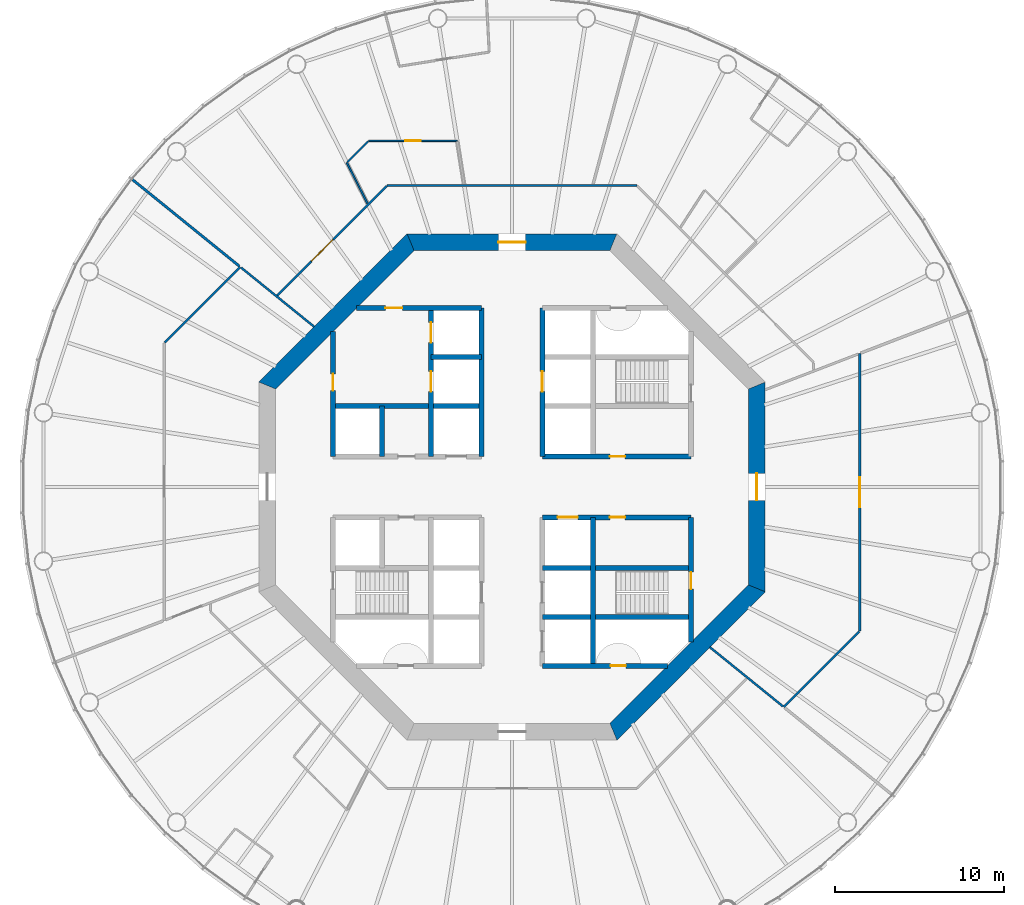
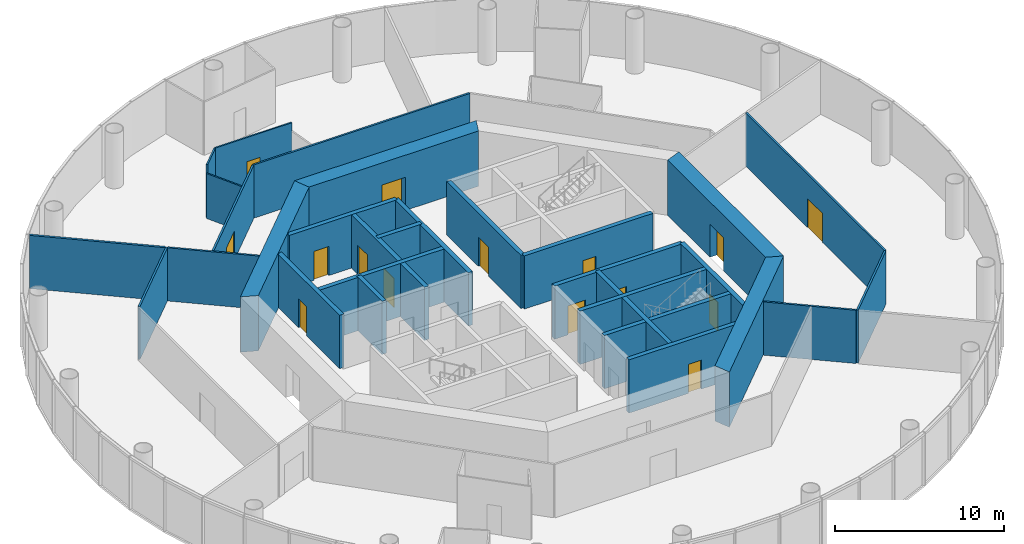
# One storey, part 4 of 12: 30 walls, 15 doors, 15 openings.
"""IFC4 building model written with IfcOpenShell, lengths in metres."""

from ifc_helpers import new_model, si_unit, direction, frame, frame_2d, origin, place, context, subcontext, project, spatial, polyline, rectangle, outline, extrude, material, layer, layer_set, type_object, element, fill, save


model = new_model("IFC4")

# Units and contexts
model_context = context("Model", 3, precision=1e-05, world=origin(), true_north=direction((0.0, 1.0)))
body_context = subcontext(model_context, "Body", "Model", "MODEL_VIEW")
ifc_project = project(units=[si_unit("LENGTHUNIT", "METRE"), si_unit("AREAUNIT", "SQUARE_METRE"), si_unit("VOLUMEUNIT", "CUBIC_METRE"), si_unit("PLANEANGLEUNIT", "RADIAN"), si_unit("MASSUNIT", "GRAM", prefix="KILO")], contexts=[model_context])

# Site, building, storey
site_placement = place(None, origin())
site = spatial("IfcSite", under=ifc_project, at=site_placement, CompositionType="ELEMENT")
building_placement = place(site_placement, origin())
building = spatial("IfcBuilding", under=site, at=building_placement, Name="Entoto Ring Tower", CompositionType="ELEMENT")
storey_placement = place(building_placement, frame((0.0, 0.0, 148.0)))
storey = spatial("IfcBuildingStorey", under=building, at=storey_placement, Name="L33", CompositionType="ELEMENT", Elevation=148.0)

# Wall, opening, door
ifc_material_1 = material(Name="Concrete C40/50", Category="concrete")
ifc_layer_1 = layer(ifc_material_1, 0.300048828125)
ifc_layer_set_1 = layer_set([ifc_layer_1], Name="Concrete C40/50")
wall_type_1 = type_object("IfcWallType", Name="Core enclosure wall 300 mm reinforced concrete", PredefinedType="SOLIDWALL", material=ifc_layer_set_1)
wall_1_placement = place(storey_placement, frame((100.60009765625, 70.801025390625, 0.0), z_axis=(0.0, 0.0, 1.0), x_axis=(0.0, 1.0, 0.0)))
wall_1 = element("IfcWall", 1, at=wall_1_placement, inside=storey, type_object=wall_type_1, Name="wall-L33-001", PredefinedType="SOLIDWALL", context=body_context, shape_type="SweptSolid", body=[
    extrude(rectangle(XDim=7.39892578125, YDim=0.300048828125, at=frame_2d((3.699462890625, 0.0))), origin(), (0.0, 0.0, 1.0), 3.85009765625),
])
opening_1_placement = place(wall_1_placement, frame((3.14892578125, 0.0, 0.0)))
opening_1 = element("IfcOpeningElement", 2, at=opening_1_placement, cuts=wall_1, Name="Opening K-17", PredefinedType="OPENING", context=body_context, shape_type="SweptSolid", body=[
    extrude(rectangle(XDim=1.0, YDim=2.10009765625, at=frame_2d((0.5, 1.050048828125))), frame((0.0, 0.16015625, 0.0), z_axis=(0.0, -1.0, 0.0), x_axis=(1.0, 0.0, 0.0)), (0.0, 0.0, 1.0), 0.320068359375),
])
ifc_material_2 = material(Name="Steel door leaf, fire rated", Category="steel")
ifc_layer_2 = layer(ifc_material_2, 0.050048828125)
ifc_layer_set_2 = layer_set([ifc_layer_2], Name="Steel door leaf, fire rated")
door_type_1 = type_object("IfcDoorType", Name="Fire door FD60 1000 x 2100 single leaf", OperationType="NOTDEFINED", PredefinedType="DOOR", material=ifc_layer_set_2)
door_1_placement = place(opening_1_placement, origin())
door_1 = element("IfcDoor", 3, at=door_1_placement, inside=storey, type_object=door_type_1, Name="Door K-17", OperationType="SINGLE_SWING_RIGHT", OverallHeight=2.10009765625, OverallWidth=1.0, PredefinedType="DOOR", context=body_context, shape_type="SweptSolid", body=[
    extrude(rectangle(XDim=1.0, YDim=2.10009765625, at=frame_2d((0.5, 1.050048828125))), frame((0.0, 0.02490234375, 0.0), z_axis=(0.0, -1.0, 0.0), x_axis=(1.0, 0.0, 0.0)), (0.0, 0.0, 1.0), 0.050048828125),
])
fill(opening_1, door_1)

# Wall
wall_2_placement = place(storey_placement, frame((94.800048828125, 69.39990234375, 0.0), z_axis=(0.0, 0.0, 1.0), x_axis=(0.0, 1.0, 0.0)))
element("IfcWall", 4, at=wall_2_placement, inside=storey, type_object=wall_type_1, Name="wall-L33-003", PredefinedType="SOLIDWALL", context=body_context, shape_type="SweptSolid", body=[
    extrude(rectangle(XDim=8.800048828125, YDim=0.300048828125, at=frame_2d((4.39990234375, 0.0))), origin(), (0.0, 0.0, 1.0), 3.85009765625),
])

# Wall, opening, door
wall_3_placement = place(storey_placement, frame((91.800048828125, 81.800048828125, 0.0), z_axis=(0.0, 0.0, 1.0), x_axis=(0.0, 1.0, 0.0)))
wall_3 = element("IfcWall", 5, at=wall_3_placement, inside=storey, type_object=wall_type_1, Name="wall-L33-006", PredefinedType="SOLIDWALL", context=body_context, shape_type="SweptSolid", body=[
    extrude(rectangle(XDim=8.800048828125, YDim=0.300048828125, at=frame_2d((4.39990234375, 0.0))), origin(), (0.0, 0.0, 1.0), 3.85009765625),
])
opening_2_placement = place(wall_3_placement, frame((3.85009765625, 0.0, 0.0)))
opening_2 = element("IfcOpeningElement", 6, at=opening_2_placement, cuts=wall_3, Name="Opening LD", PredefinedType="OPENING", context=body_context, shape_type="SweptSolid", body=[
    extrude(rectangle(XDim=1.199951171875, YDim=2.10009765625, at=frame_2d((0.60009765625, 1.050048828125))), frame((0.0, 0.16015625, 0.0), z_axis=(0.0, -1.0, 0.0), x_axis=(1.0, 0.0, 0.0)), (0.0, 0.0, 1.0), 0.320068359375),
])
ifc_material_3 = material(Name="Steel and glass door leaf", Category="steel")
ifc_layer_3 = layer(ifc_material_3, 0.050048828125)
ifc_layer_set_3 = layer_set([ifc_layer_3], Name="Steel and glass door leaf")
door_type_2 = type_object("IfcDoorType", Name="Landing door 1200 x 2100 sliding", OperationType="DOUBLE_DOOR_SLIDING", PredefinedType="DOOR", material=ifc_layer_set_3)
door_2_placement = place(opening_2_placement, origin())
door_2 = element("IfcDoor", 7, at=door_2_placement, inside=storey, type_object=door_type_2, Name="Landing door LB1-MR", OperationType="SLIDING_TO_RIGHT", OverallHeight=2.10009765625, OverallWidth=1.199951171875, PredefinedType="DOOR", context=body_context, shape_type="SweptSolid", body=[
    extrude(rectangle(XDim=1.199951171875, YDim=2.10009765625, at=frame_2d((0.60009765625, 1.050048828125))), frame((0.0, 0.02490234375, 0.0), z_axis=(0.0, -1.0, 0.0), x_axis=(1.0, 0.0, 0.0)), (0.0, 0.0, 1.0), 0.050048828125),
])
fill(opening_2, door_2)

# Wall
wall_4_placement = place(storey_placement, frame((88.199951171875, 81.800048828125, 0.0), z_axis=(0.0, 0.0, 1.0), x_axis=(0.0, 1.0, 0.0)))
element("IfcWall", 8, at=wall_4_placement, inside=storey, type_object=wall_type_1, Name="wall-L33-008", PredefinedType="SOLIDWALL", context=body_context, shape_type="SweptSolid", body=[
    extrude(rectangle(XDim=8.800048828125, YDim=0.300048828125, at=frame_2d((4.39990234375, 0.0))), origin(), (0.0, 0.0, 1.0), 3.85009765625),
])

# Wall, openings, doors
wall_5_placement = place(storey_placement, frame((85.199951171875, 81.800048828125, 0.0), z_axis=(0.0, 0.0, 1.0), x_axis=(0.0, 1.0, 0.0)))
wall_5 = element("IfcWall", 9, at=wall_5_placement, inside=storey, type_object=wall_type_1, Name="wall-L33-010", PredefinedType="SOLIDWALL", context=body_context, shape_type="SweptSolid", body=[
    extrude(rectangle(XDim=8.800048828125, YDim=0.300048828125, at=frame_2d((4.39990234375, 0.0))), origin(), (0.0, 0.0, 1.0), 3.85009765625),
])
opening_3_placement = place(wall_5_placement, frame((3.85009765625, 0.0, 0.0)))
opening_3 = element("IfcOpeningElement", 10, at=opening_3_placement, cuts=wall_5, Name="Opening LD", PredefinedType="OPENING", context=body_context, shape_type="SweptSolid", body=[
    extrude(rectangle(XDim=1.199951171875, YDim=2.10009765625, at=frame_2d((0.60009765625, 1.050048828125))), frame((0.0, 0.16015625, 0.0), z_axis=(0.0, -1.0, 0.0), x_axis=(1.0, 0.0, 0.0)), (0.0, 0.0, 1.0), 0.320068359375),
])
opening_4_placement = place(wall_5_placement, frame((6.75, 0.0, 0.0)))
opening_4 = element("IfcOpeningElement", 11, at=opening_4_placement, cuts=wall_5, Name="Opening LD", PredefinedType="OPENING", context=body_context, shape_type="SweptSolid", body=[
    extrude(rectangle(XDim=1.199951171875, YDim=2.10009765625, at=frame_2d((0.60009765625, 1.050048828125))), frame((0.0, 0.16015625, 0.0), z_axis=(0.0, -1.0, 0.0), x_axis=(1.0, 0.0, 0.0)), (0.0, 0.0, 1.0), 0.320068359375),
])
door_3_placement = place(opening_3_placement, origin())
door_3 = element("IfcDoor", 12, at=door_3_placement, inside=storey, type_object=door_type_2, Name="Landing door FF1", OperationType="SLIDING_TO_RIGHT", OverallHeight=2.10009765625, OverallWidth=1.199951171875, PredefinedType="DOOR", context=body_context, shape_type="SweptSolid", body=[
    extrude(rectangle(XDim=1.199951171875, YDim=2.10009765625, at=frame_2d((0.60009765625, 1.050048828125))), frame((0.0, 0.02490234375, 0.0), z_axis=(0.0, -1.0, 0.0), x_axis=(1.0, 0.0, 0.0)), (0.0, 0.0, 1.0), 0.050048828125),
])
fill(opening_3, door_3)
door_4_placement = place(opening_4_placement, origin())
door_4 = element("IfcDoor", 13, at=door_4_placement, inside=storey, type_object=door_type_2, Name="Landing door FF2", OperationType="SLIDING_TO_RIGHT", OverallHeight=2.10009765625, OverallWidth=1.199951171875, PredefinedType="DOOR", context=body_context, shape_type="SweptSolid", body=[
    extrude(rectangle(XDim=1.199951171875, YDim=2.10009765625, at=frame_2d((0.60009765625, 1.050048828125))), frame((0.0, 0.02490234375, 0.0), z_axis=(0.0, -1.0, 0.0), x_axis=(1.0, 0.0, 0.0)), (0.0, 0.0, 1.0), 0.050048828125),
])
fill(opening_4, door_4)

# Wall
wall_6_placement = place(storey_placement, frame((82.300048828125, 81.800048828125, 0.0), z_axis=(0.0, 0.0, 1.0), x_axis=(0.0, 1.0, 0.0)))
element("IfcWall", 14, at=wall_6_placement, inside=storey, type_object=wall_type_1, Name="wall-L33-012", PredefinedType="SOLIDWALL", context=body_context, shape_type="SweptSolid", body=[
    extrude(rectangle(XDim=3.0, YDim=0.300048828125, at=frame_2d((1.5, 0.0))), origin(), (0.0, 0.0, 1.0), 3.85009765625),
])

# Wall, opening, door
wall_7_placement = place(storey_placement, frame((79.39990234375, 81.800048828125, 0.0), z_axis=(0.0, 0.0, 1.0), x_axis=(0.0, 1.0, 0.0)))
wall_7 = element("IfcWall", 15, at=wall_7_placement, inside=storey, type_object=wall_type_1, Name="wall-L33-014", PredefinedType="SOLIDWALL", context=body_context, shape_type="SweptSolid", body=[
    extrude(rectangle(XDim=7.39892578125, YDim=0.300048828125, at=frame_2d((3.699462890625, 0.0))), origin(), (0.0, 0.0, 1.0), 3.85009765625),
])
opening_5_placement = place(wall_7_placement, frame((3.89990234375, 0.0, 0.0)))
opening_5 = element("IfcOpeningElement", 16, at=opening_5_placement, cuts=wall_7, Name="Opening K-67", PredefinedType="OPENING", context=body_context, shape_type="SweptSolid", body=[
    extrude(rectangle(XDim=1.0, YDim=2.10009765625, at=frame_2d((0.5, 1.050048828125))), frame((0.0, 0.16015625, 0.0), z_axis=(0.0, -1.0, 0.0), x_axis=(1.0, 0.0, 0.0)), (0.0, 0.0, 1.0), 0.320068359375),
])
door_5_placement = place(opening_5_placement, frame((1.0, 0.0, 0.0), z_axis=(0.0, 0.0, 1.0), x_axis=(-1.0, 0.0, 0.0)))
door_5 = element("IfcDoor", 17, at=door_5_placement, inside=storey, type_object=door_type_1, Name="Door K-67", OperationType="SINGLE_SWING_RIGHT", OverallHeight=2.10009765625, OverallWidth=1.0, PredefinedType="DOOR", context=body_context, shape_type="SweptSolid", body=[
    extrude(rectangle(XDim=1.0, YDim=2.10009765625, at=frame_2d((0.5, 1.050048828125))), frame((0.0, 0.02490234375, 0.0), z_axis=(0.0, -1.0, 0.0), x_axis=(1.0, 0.0, 0.0)), (0.0, 0.0, 1.0), 0.050048828125),
])
fill(opening_5, door_5)

wall_8_placement = place(storey_placement, frame((91.800048828125, 69.39990234375, 0.0), z_axis=(0.0, 0.0, 1.0), x_axis=(1.0, 0.0, 0.0)))
wall_8 = element("IfcWall", 18, at=wall_8_placement, inside=storey, type_object=wall_type_1, Name="wall-L33-016", PredefinedType="SOLIDWALL", context=body_context, shape_type="SweptSolid", body=[
    extrude(rectangle(XDim=7.39892578125, YDim=0.300048828125, at=frame_2d((3.699462890625, 0.0))), origin(), (0.0, 0.0, 1.0), 3.85009765625),
])
opening_6_placement = place(wall_8_placement, frame((4.050048828125, 0.0, 0.0)))
opening_6 = element("IfcOpeningElement", 19, at=opening_6_placement, cuts=wall_8, Name="Opening K-20", PredefinedType="OPENING", context=body_context, shape_type="SweptSolid", body=[
    extrude(rectangle(XDim=0.89990234375, YDim=2.10009765625, at=frame_2d((0.449951171875, 1.050048828125))), frame((0.0, 0.16015625, 0.0), z_axis=(0.0, -1.0, 0.0), x_axis=(1.0, 0.0, 0.0)), (0.0, 0.0, 1.0), 0.320068359375),
])
ifc_material_4 = material(Name="Steel door leaf, fire rated", Category="steel")
ifc_layer_4 = layer(ifc_material_4, 0.050048828125)
ifc_layer_set_4 = layer_set([ifc_layer_4], Name="Steel door leaf, fire rated")
door_type_3 = type_object("IfcDoorType", Name="Riser door FD60 900 x 2100 single leaf", OperationType="NOTDEFINED", PredefinedType="DOOR", material=ifc_layer_set_4)
door_6_placement = place(opening_6_placement, origin())
door_6 = element("IfcDoor", 20, at=door_6_placement, inside=storey, type_object=door_type_3, Name="Door K-20", OperationType="SINGLE_SWING_LEFT", OverallHeight=2.10009765625, OverallWidth=0.89990234375, PredefinedType="DOOR", context=body_context, shape_type="SweptSolid", body=[
    extrude(rectangle(XDim=0.89990234375, YDim=2.10009765625, at=frame_2d((0.449951171875, 1.050048828125))), frame((0.0, 0.02490234375, 0.0), z_axis=(0.0, -1.0, 0.0), x_axis=(1.0, 0.0, 0.0)), (0.0, 0.0, 1.0), 0.050048828125),
])
fill(opening_6, door_6)

# Walls
for number, where, z_axis, x_axis, name in (
    (21, (91.800048828125, 72.300048828125, 0.0), (0.0, 0.0, 1.0), (1.0, 0.0, 0.0), "wall-L33-018"),
    (22, (91.800048828125, 75.199951171875, 0.0), (0.0, 0.0, 1.0), (1.0, 0.0, 0.0), "wall-L33-020"),
):
    element("IfcWall", number, at=place(storey_placement, frame(where, z_axis=z_axis, x_axis=x_axis)), inside=storey, type_object=wall_type_1, Name=name, PredefinedType="SOLIDWALL", context=body_context, shape_type="SweptSolid", body=[
        extrude(rectangle(XDim=8.800048828125, YDim=0.300048828125, at=frame_2d((4.39990234375, 0.0))), origin(), (0.0, 0.0, 1.0), 3.85009765625),
    ])

# Wall, openings, doors
wall_9_placement = place(storey_placement, frame((91.800048828125, 78.199951171875, 0.0), z_axis=(0.0, 0.0, 1.0), x_axis=(1.0, 0.0, 0.0)))
wall_9 = element("IfcWall", 23, at=wall_9_placement, inside=storey, type_object=wall_type_1, Name="wall-L33-022", PredefinedType="SOLIDWALL", context=body_context, shape_type="SweptSolid", body=[
    extrude(rectangle(XDim=8.800048828125, YDim=0.300048828125, at=frame_2d((4.39990234375, 0.0))), origin(), (0.0, 0.0, 1.0), 3.85009765625),
])
opening_7_placement = place(wall_9_placement, frame((0.89990234375, 0.0, 0.0)))
opening_7 = element("IfcOpeningElement", 24, at=opening_7_placement, cuts=wall_9, Name="Opening LD", PredefinedType="OPENING", context=body_context, shape_type="SweptSolid", body=[
    extrude(rectangle(XDim=1.199951171875, YDim=2.10009765625, at=frame_2d((0.60009765625, 1.050048828125))), frame((0.0, 0.16015625, 0.0), z_axis=(0.0, -1.0, 0.0), x_axis=(1.0, 0.0, 0.0)), (0.0, 0.0, 1.0), 0.320068359375),
])
opening_8_placement = place(wall_9_placement, frame((4.0, 0.0, 0.0)))
opening_8 = element("IfcOpeningElement", 25, at=opening_8_placement, cuts=wall_9, Name="Opening K-12", PredefinedType="OPENING", context=body_context, shape_type="SweptSolid", body=[
    extrude(rectangle(XDim=0.89990234375, YDim=2.10009765625, at=frame_2d((0.449951171875, 1.050048828125))), frame((0.0, 0.16015625, 0.0), z_axis=(0.0, -1.0, 0.0), x_axis=(1.0, 0.0, 0.0)), (0.0, 0.0, 1.0), 0.320068359375),
])
ifc_material_5 = material(Name="Steel door leaf, fire rated", Category="steel")
ifc_layer_5 = layer(ifc_material_5, 0.050048828125)
ifc_layer_set_5 = layer_set([ifc_layer_5], Name="Steel door leaf, fire rated")
door_type_4 = type_object("IfcDoorType", Name="Core door 900 x 2100 single leaf", OperationType="NOTDEFINED", PredefinedType="DOOR", material=ifc_layer_set_5)
door_7_placement = place(opening_8_placement, frame((0.89990234375, 0.0, 0.0), z_axis=(0.0, 0.0, 1.0), x_axis=(-1.0, 0.0, 0.0)))
door_7 = element("IfcDoor", 26, at=door_7_placement, inside=storey, type_object=door_type_4, Name="Door K-12", OperationType="SINGLE_SWING_RIGHT", OverallHeight=2.10009765625, OverallWidth=0.89990234375, PredefinedType="DOOR", context=body_context, shape_type="SweptSolid", body=[
    extrude(rectangle(XDim=0.89990234375, YDim=2.10009765625, at=frame_2d((0.449951171875, 1.050048828125))), frame((0.0, 0.02490234375, 0.0), z_axis=(0.0, -1.0, 0.0), x_axis=(1.0, 0.0, 0.0)), (0.0, 0.0, 1.0), 0.050048828125),
])
fill(opening_8, door_7)
door_8_placement = place(opening_7_placement, origin())
door_8 = element("IfcDoor", 27, at=door_8_placement, inside=storey, type_object=door_type_2, Name="Landing door LB6-MR", OperationType="SLIDING_TO_LEFT", OverallHeight=2.10009765625, OverallWidth=1.199951171875, PredefinedType="DOOR", context=body_context, shape_type="SweptSolid", body=[
    extrude(rectangle(XDim=1.199951171875, YDim=2.10009765625, at=frame_2d((0.60009765625, 1.050048828125))), frame((0.0, 0.02490234375, 0.0), z_axis=(0.0, -1.0, 0.0), x_axis=(1.0, 0.0, 0.0)), (0.0, 0.0, 1.0), 0.050048828125),
])
fill(opening_7, door_8)

# Wall, opening, door
wall_10_placement = place(storey_placement, frame((91.800048828125, 81.800048828125, 0.0), z_axis=(0.0, 0.0, 1.0), x_axis=(1.0, 0.0, 0.0)))
wall_10 = element("IfcWall", 28, at=wall_10_placement, inside=storey, type_object=wall_type_1, Name="wall-L33-024", PredefinedType="SOLIDWALL", context=body_context, shape_type="SweptSolid", body=[
    extrude(rectangle(XDim=8.800048828125, YDim=0.300048828125, at=frame_2d((4.39990234375, 0.0))), origin(), (0.0, 0.0, 1.0), 3.85009765625),
])
opening_9_placement = place(wall_10_placement, frame((4.0, 0.0, 0.0)))
opening_9 = element("IfcOpeningElement", 29, at=opening_9_placement, cuts=wall_10, Name="Opening K-11", PredefinedType="OPENING", context=body_context, shape_type="SweptSolid", body=[
    extrude(rectangle(XDim=0.89990234375, YDim=2.10009765625, at=frame_2d((0.449951171875, 1.050048828125))), frame((0.0, 0.16015625, 0.0), z_axis=(0.0, -1.0, 0.0), x_axis=(1.0, 0.0, 0.0)), (0.0, 0.0, 1.0), 0.320068359375),
])
door_9_placement = place(opening_9_placement, origin())
door_9 = element("IfcDoor", 30, at=door_9_placement, inside=storey, type_object=door_type_4, Name="Door K-11", OperationType="SINGLE_SWING_LEFT", OverallHeight=2.10009765625, OverallWidth=0.89990234375, PredefinedType="DOOR", context=body_context, shape_type="SweptSolid", body=[
    extrude(rectangle(XDim=0.89990234375, YDim=2.10009765625, at=frame_2d((0.449951171875, 1.050048828125))), frame((0.0, 0.02490234375, 0.0), z_axis=(0.0, -1.0, 0.0), x_axis=(1.0, 0.0, 0.0)), (0.0, 0.0, 1.0), 0.050048828125),
])
fill(opening_9, door_9)

# Walls
wall_11_placement = place(storey_placement, frame((79.39990234375, 84.800048828125, 0.0), z_axis=(0.0, 0.0, 1.0), x_axis=(1.0, 0.0, 0.0)))
element("IfcWall", 31, at=wall_11_placement, inside=storey, type_object=wall_type_1, Name="wall-L33-025", PredefinedType="SOLIDWALL", context=body_context, shape_type="SweptSolid", body=[
    extrude(rectangle(XDim=8.800048828125, YDim=0.300048828125, at=frame_2d((4.39990234375, 0.0))), origin(), (0.0, 0.0, 1.0), 3.85009765625),
])
wall_12_placement = place(storey_placement, frame((85.199951171875, 87.699951171875, 0.0), z_axis=(0.0, 0.0, 1.0), x_axis=(1.0, 0.0, 0.0)))
element("IfcWall", 32, at=wall_12_placement, inside=storey, type_object=wall_type_1, Name="wall-L33-027", PredefinedType="SOLIDWALL", context=body_context, shape_type="SweptSolid", body=[
    extrude(rectangle(XDim=3.0, YDim=0.300048828125, at=frame_2d((1.5, 0.0))), origin(), (0.0, 0.0, 1.0), 3.85009765625),
])

# Wall, opening, door
wall_13_placement = place(storey_placement, frame((80.801025390625, 90.60009765625, 0.0), z_axis=(0.0, 0.0, 1.0), x_axis=(1.0, 0.0, 0.0)))
wall_13 = element("IfcWall", 33, at=wall_13_placement, inside=storey, type_object=wall_type_1, Name="wall-L33-029", PredefinedType="SOLIDWALL", context=body_context, shape_type="SweptSolid", body=[
    extrude(rectangle(XDim=7.39892578125, YDim=0.300048828125, at=frame_2d((3.699462890625, 0.0))), origin(), (0.0, 0.0, 1.0), 3.85009765625),
])
opening_10_placement = place(wall_13_placement, frame((1.698974609375, 0.0, 0.0)))
opening_10 = element("IfcOpeningElement", 34, at=opening_10_placement, cuts=wall_13, Name="Opening K-22", PredefinedType="OPENING", context=body_context, shape_type="SweptSolid", body=[
    extrude(rectangle(XDim=1.0, YDim=2.10009765625, at=frame_2d((0.5, 1.050048828125))), frame((0.0, 0.16015625, 0.0), z_axis=(0.0, -1.0, 0.0), x_axis=(1.0, 0.0, 0.0)), (0.0, 0.0, 1.0), 0.320068359375),
])
door_10_placement = place(opening_10_placement, frame((1.0, 0.0, 0.0), z_axis=(0.0, 0.0, 1.0), x_axis=(-1.0, 0.0, 0.0)))
door_10 = element("IfcDoor", 35, at=door_10_placement, inside=storey, type_object=door_type_1, Name="Door K-22", OperationType="SINGLE_SWING_LEFT", OverallHeight=2.10009765625, OverallWidth=1.0, PredefinedType="DOOR", context=body_context, shape_type="SweptSolid", body=[
    extrude(rectangle(XDim=1.0, YDim=2.10009765625, at=frame_2d((0.5, 1.050048828125))), frame((0.0, 0.02490234375, 0.0), z_axis=(0.0, -1.0, 0.0), x_axis=(1.0, 0.0, 0.0)), (0.0, 0.0, 1.0), 0.050048828125),
])
fill(opening_10, door_10)

ifc_material_6 = material(Name="Concrete C50/60", Category="concrete")
ifc_layer_6 = layer(ifc_material_6, 1.0)
ifc_layer_set_6 = layer_set([ifc_layer_6], Name="Concrete C50/60")
wall_type_2 = type_object("IfcWallType", Name="Core shear wall 1000 mm reinforced concrete C50/60", PredefinedType="SHEAR", material=ifc_layer_set_6)
wall_14_placement = place(storey_placement, frame((104.5, 73.993896484375, 0.0), z_axis=(0.0, 0.0, 1.0), x_axis=(0.0, 1.0, 0.0)))
wall_14 = element("IfcWall", 36, at=wall_14_placement, inside=storey, type_object=wall_type_2, Name="wall-L33-core-0", PredefinedType="SHEAR", context=body_context, shape_type="SweptSolid", body=[
    extrude(outline(polyline([(-0.20703125, -0.5), (12.21923828125, -0.5), (11.80517578125, 0.5), (0.20703125, 0.5), (-0.20703125, -0.5)])), origin(), (0.0, 0.0, 1.0), 4.0),
])
opening_11_placement = place(wall_14_placement, frame((5.2060546875, 0.0, 0.0)))
opening_11 = element("IfcOpeningElement", 37, at=opening_11_placement, cuts=wall_14, Name="Opening K-01", PredefinedType="OPENING", context=body_context, shape_type="SweptSolid", body=[
    extrude(rectangle(XDim=1.60009765625, YDim=2.39990234375, at=frame_2d((0.800048828125, 1.199951171875))), frame((0.0, 0.510009765625, 0.0), z_axis=(0.0, -1.0, 0.0), x_axis=(1.0, 0.0, 0.0)), (0.0, 0.0, 1.0), 1.02001953125),
])
ifc_material_7 = material(Name="Steel door leaf, fire rated", Category="steel")
ifc_layer_7 = layer(ifc_material_7, 0.050048828125)
ifc_layer_set_7 = layer_set([ifc_layer_7], Name="Steel door leaf, fire rated")
door_type_5 = type_object("IfcDoorType", Name="Entrance door FD60 1600 x 2400 double leaf", OperationType="DOUBLE_DOOR_SINGLE_SWING", PredefinedType="DOOR", material=ifc_layer_set_7)
door_11_placement = place(opening_11_placement, origin())
door_11 = element("IfcDoor", 38, at=door_11_placement, inside=storey, type_object=door_type_5, Name="Entrance door K-01", OperationType="DOUBLE_DOOR_SINGLE_SWING", OverallHeight=2.39990234375, OverallWidth=1.60009765625, PredefinedType="DOOR", context=body_context, shape_type="SweptSolid", body=[
    extrude(rectangle(XDim=1.60009765625, YDim=2.39990234375, at=frame_2d((0.800048828125, 1.199951171875))), frame((0.0, 0.02490234375, 0.0), z_axis=(0.0, -1.0, 0.0), x_axis=(1.0, 0.0, 0.0)), (0.0, 0.0, 1.0), 0.050048828125),
])
fill(opening_11, door_11)

wall_15_placement = place(storey_placement, frame((96.006103515625, 94.5, 0.0), z_axis=(0.0, 0.0, 1.0), x_axis=(-1.0, 0.0, 0.0)))
wall_15 = element("IfcWall", 39, at=wall_15_placement, inside=storey, type_object=wall_type_2, Name="wall-L33-core-2", PredefinedType="SHEAR", context=body_context, shape_type="SweptSolid", body=[
    extrude(outline(polyline([(-0.20703125, -0.5), (12.21923828125, -0.5), (11.80517578125, 0.5), (0.20703125, 0.5), (-0.20703125, -0.5)])), origin(), (0.0, 0.0, 1.0), 4.0),
])
opening_12_placement = place(wall_15_placement, frame((5.2060546875, 0.0, 0.0)))
opening_12 = element("IfcOpeningElement", 40, at=opening_12_placement, cuts=wall_15, Name="Opening K-02", PredefinedType="OPENING", context=body_context, shape_type="SweptSolid", body=[
    extrude(rectangle(XDim=1.60009765625, YDim=2.39990234375, at=frame_2d((0.800048828125, 1.199951171875))), frame((0.0, 0.510009765625, 0.0), z_axis=(0.0, -1.0, 0.0), x_axis=(1.0, 0.0, 0.0)), (0.0, 0.0, 1.0), 1.02001953125),
])
door_12_placement = place(opening_12_placement, origin())
door_12 = element("IfcDoor", 41, at=door_12_placement, inside=storey, type_object=door_type_5, Name="Entrance door K-02", OperationType="DOUBLE_DOOR_SINGLE_SWING", OverallHeight=2.39990234375, OverallWidth=1.60009765625, PredefinedType="DOOR", context=body_context, shape_type="SweptSolid", body=[
    extrude(rectangle(XDim=1.60009765625, YDim=2.39990234375, at=frame_2d((0.800048828125, 1.199951171875))), frame((0.0, 0.02490234375, 0.0), z_axis=(0.0, -1.0, 0.0), x_axis=(1.0, 0.0, 0.0)), (0.0, 0.0, 1.0), 0.050048828125),
])
fill(opening_12, door_12)

# Walls
for number, where, z_axis, x_axis, name in (
    (42, (83.993896484375, 94.5, 0.0), (0.0, 0.0, 1.0), (-0.707106781187, -0.707106781187, 0.0), "wall-L33-core-3"),
    (43, (96.006103515625, 65.5, 0.0), (0.0, 0.0, 1.0), (0.707106781187, 0.707106781187, 0.0), "wall-L33-core-7"),
):
    element("IfcWall", number, at=place(storey_placement, frame(where, z_axis=z_axis, x_axis=x_axis)), inside=storey, type_object=wall_type_2, Name=name, PredefinedType="SHEAR", context=body_context, shape_type="SweptSolid", body=[
        extrude(outline(polyline([(-0.20703125, -0.5), (12.21923828125, -0.5), (11.80517578125, 0.5), (0.20703125, 0.5), (-0.20703125, -0.5)])), origin(), (0.0, 0.0, 1.0), 4.0),
    ])

# Wall, opening, door
ifc_material_8 = material(Name="Fire-resisting plasterboard on steel studs", Category="steel")
ifc_layer_8 = layer(ifc_material_8, 0.125)
ifc_layer_set_8 = layer_set([ifc_layer_8], Name="Fire-resisting plasterboard on steel studs")
wall_type_3 = type_object("IfcWallType", Name="Corridor wall 125 mm one-hour plasterboard on steel studs", PredefinedType="PARTITIONING", material=ifc_layer_set_8)
wall_16_placement = place(storey_placement, frame((110.60009765625, 71.46728515625, 0.0), z_axis=(0.0, 0.0, 1.0), x_axis=(0.0, 1.0, 0.0)))
wall_16 = element("IfcWall", 44, at=wall_16_placement, inside=storey, type_object=wall_type_3, Name="partition-L33-002", PredefinedType="PARTITIONING", context=body_context, shape_type="SweptSolid", body=[
    extrude(rectangle(XDim=16.4404296875, YDim=0.125, at=frame_2d((8.22021484375, 0.0))), origin(), (0.0, 0.0, 1.0), 3.85009765625),
])
opening_13_placement = place(wall_16_placement, frame((7.3203125, 0.0, 0.0)))
opening_13 = element("IfcOpeningElement", 45, at=opening_13_placement, cuts=wall_16, Name="Opening A15-D01", PredefinedType="OPENING", context=body_context, shape_type="SweptSolid", body=[
    extrude(rectangle(XDim=1.800048828125, YDim=2.10009765625, at=frame_2d((0.89990234375, 1.050048828125))), frame((0.0, 0.072509765625, 0.0), z_axis=(0.0, -1.0, 0.0), x_axis=(1.0, 0.0, 0.0)), (0.0, 0.0, 1.0), 0.14501953125),
])
ifc_material_9 = material(Name="Fire-resisting timber door set", Category="wood")
door_type_6 = type_object("IfcDoorType", Name="Door 1800 x 2100 double leaf FD30S fire door", OperationType="DOUBLE_DOOR_SINGLE_SWING", PredefinedType="DOOR", material=ifc_material_9)
door_13_placement = place(opening_13_placement, frame((1.800048828125, 0.0, 0.0), z_axis=(0.0, 0.0, 1.0), x_axis=(-1.0, 0.0, 0.0)))
door_13 = element("IfcDoor", 46, at=door_13_placement, inside=storey, type_object=door_type_6, Name="Door A15-D01", OperationType="DOUBLE_DOOR_SINGLE_SWING", OverallHeight=2.10009765625, OverallWidth=1.800048828125, PredefinedType="DOOR", context=body_context, shape_type="SweptSolid", body=[
    extrude(rectangle(XDim=1.800048828125, YDim=2.10009765625, at=frame_2d((0.89990234375, 1.050048828125))), frame((0.0, 0.02490234375, 0.0), z_axis=(0.0, -1.0, 0.0), x_axis=(1.0, 0.0, 0.0)), (0.0, 0.0, 1.0), 0.050048828125),
])
fill(opening_13, door_13)

# Wall
wall_17_placement = place(storey_placement, frame((82.60107421875, 97.862548828125, 0.0), z_axis=(0.0, 0.0, 1.0), x_axis=(1.0, 0.0, 0.0)))
element("IfcWall", 47, at=wall_17_placement, inside=storey, type_object=wall_type_3, Name="partition-L33-004", PredefinedType="PARTITIONING", context=body_context, shape_type="SweptSolid", body=[
    extrude(rectangle(XDim=14.7978515625, YDim=0.125, at=frame_2d((7.39892578125, 0.0))), origin(), (0.0, 0.0, 1.0), 3.85009765625),
])

# Wall, opening, door
wall_18_placement = place(storey_placement, frame((76.0908203125, 91.352294921875, 0.0), z_axis=(0.0, 0.0, 1.0), x_axis=(0.707120103343, 0.707093458779, 0.0)))
wall_18 = element("IfcWall", 48, at=wall_18_placement, inside=storey, type_object=wall_type_3, Name="partition-L33-007", PredefinedType="PARTITIONING", context=body_context, shape_type="SweptSolid", body=[
    extrude(rectangle(XDim=9.162841796875, YDim=0.125, at=frame_2d((4.58154296875, 0.0))), origin(), (0.0, 0.0, 1.0), 3.85009765625),
])
opening_14_placement = place(wall_18_placement, frame((2.871337890625, 0.0, 0.0)))
opening_14 = element("IfcOpeningElement", 49, at=opening_14_placement, cuts=wall_18, Name="Opening A15-D06", PredefinedType="OPENING", context=body_context, shape_type="SweptSolid", body=[
    extrude(rectangle(XDim=1.800048828125, YDim=2.10009765625, at=frame_2d((0.89990234375, 1.050048828125))), frame((0.0, 0.072509765625, 0.0), z_axis=(0.0, -1.0, 0.0), x_axis=(1.0, 0.0, 0.0)), (0.0, 0.0, 1.0), 0.14501953125),
])
door_14_placement = place(opening_14_placement, origin())
door_14 = element("IfcDoor", 50, at=door_14_placement, inside=storey, type_object=door_type_6, Name="Door A15-D06", OperationType="DOUBLE_DOOR_SINGLE_SWING", OverallHeight=2.10009765625, OverallWidth=1.800048828125, PredefinedType="DOOR", context=body_context, shape_type="SweptSolid", body=[
    extrude(rectangle(XDim=1.800048828125, YDim=2.10009765625, at=frame_2d((0.89990234375, 1.050048828125))), frame((0.0, 0.02490234375, 0.0), z_axis=(0.0, -1.0, 0.0), x_axis=(1.0, 0.0, 0.0)), (0.0, 0.0, 1.0), 0.050048828125),
])
fill(opening_14, door_14)

# Walls
for number, where, z_axis, x_axis, name in (
    (51, (69.43115234375, 88.56396484375, 0.0), (0.0, 0.0, 1.0), (0.707106781187, 0.707106781187, 0.0), "partition-L33-009"),
    (52, (106.097412109375, 66.964599609375, 0.0), (0.0, 0.0, 1.0), (0.707106781187, 0.707106781187, 0.0), "partition-L33-010"),
):
    element("IfcWall", number, at=place(storey_placement, frame(where, z_axis=z_axis, x_axis=x_axis)), inside=storey, type_object=wall_type_3, Name=name, PredefinedType="PARTITIONING", context=body_context, shape_type="SweptSolid", body=[
        extrude(rectangle(XDim=6.323486328125, YDim=0.125, at=frame_2d((3.16162109375, 0.0))), origin(), (0.0, 0.0, 1.0), 3.85009765625),
    ])
for number, where, z_axis, x_axis, name in (
    (53, (78.278564453125, 89.49169921875, 0.0), (0.0, 0.0, 1.0), (-0.777129489168, 0.629340732089, 0.0), "partition-L33-013"),
    (54, (106.049072265625, 67.003662109375, 0.0), (0.0, 0.0, 1.0), (-0.777129489168, 0.629340732089, 0.0), "partition-L33-014"),
):
    element("IfcWall", number, at=place(storey_placement, frame(where, z_axis=z_axis, x_axis=x_axis)), inside=storey, type_object=wall_type_3, Name=name, PredefinedType="PARTITIONING", context=body_context, shape_type="SweptSolid", body=[
        extrude(rectangle(XDim=5.56884765625, YDim=0.125, at=frame_2d((2.784423828125, 0.0))), origin(), (0.0, 0.0, 1.0), 3.85009765625),
    ])

# Wall, opening, door
ifc_material_10 = material(Name="Plasterboard on steel studs", Category="steel")
ifc_layer_9 = layer(ifc_material_10, 0.10009765625)
ifc_layer_set_9 = layer_set([ifc_layer_9], Name="Plasterboard on steel studs")
wall_type_4 = type_object("IfcWallType", Name="Partition 100 mm plasterboard on steel studs", PredefinedType="PARTITIONING", material=ifc_layer_set_9)
wall_19_placement = place(storey_placement, frame((81.507568359375, 100.50244140625, 0.0), z_axis=(0.0, 0.0, 1.0), x_axis=(1.0, 0.0, 0.0)))
wall_19 = element("IfcWall", 55, at=wall_19_placement, inside=storey, type_object=wall_type_4, Name="partition-L33-023", PredefinedType="PARTITIONING", context=body_context, shape_type="SweptSolid", body=[
    extrude(rectangle(XDim=5.2451171875, YDim=0.10009765625, at=frame_2d((2.62255859375, 0.0))), origin(), (0.0, 0.0, 1.0), 3.85009765625),
])
opening_15_placement = place(wall_19_placement, frame((2.172607421875, 0.0, 0.0)))
opening_15 = element("IfcOpeningElement", 56, at=opening_15_placement, cuts=wall_19, Name="Opening A15-D07", PredefinedType="OPENING", context=body_context, shape_type="SweptSolid", body=[
    extrude(rectangle(XDim=0.89990234375, YDim=2.10009765625, at=frame_2d((0.449951171875, 1.050048828125))), frame((0.0, 0.06005859375, 0.0), z_axis=(0.0, -1.0, 0.0), x_axis=(1.0, 0.0, 0.0)), (0.0, 0.0, 1.0), 0.1201171875),
])
ifc_material_11 = material(Name="Veneered timber door leaf in timber frame", Category="wood")
door_type_7 = type_object("IfcDoorType", Name="Door 900 x 2100 single leaf timber veneer", OperationType="NOTDEFINED", PredefinedType="DOOR", material=ifc_material_11)
door_15_placement = place(opening_15_placement, frame((0.89990234375, 0.0, 0.0), z_axis=(0.0, 0.0, 1.0), x_axis=(-1.0, 0.0, 0.0)))
door_15 = element("IfcDoor", 57, at=door_15_placement, inside=storey, type_object=door_type_7, Name="Door A15-D07", OperationType="SINGLE_SWING_LEFT", OverallHeight=2.10009765625, OverallWidth=0.89990234375, PredefinedType="DOOR", context=body_context, shape_type="SweptSolid", body=[
    extrude(rectangle(XDim=0.89990234375, YDim=2.10009765625, at=frame_2d((0.449951171875, 1.050048828125))), frame((0.0, 0.02490234375, 0.0), z_axis=(0.0, -1.0, 0.0), x_axis=(1.0, 0.0, 0.0)), (0.0, 0.0, 1.0), 0.050048828125),
])
fill(opening_15, door_15)

# Walls
wall_20_placement = place(storey_placement, frame((80.24658203125, 99.241455078125, 0.0), z_axis=(0.0, 0.0, 1.0), x_axis=(0.707036953825, 0.707176601653, 0.0)))
element("IfcWall", 58, at=wall_20_placement, inside=storey, type_object=wall_type_4, Name="partition-L33-040", PredefinedType="PARTITIONING", context=body_context, shape_type="SweptSolid", body=[
    extrude(rectangle(XDim=1.748291015625, YDim=0.10009765625, at=frame_2d((0.8740234375, 0.0))), origin(), (0.0, 0.0, 1.0), 3.85009765625),
])
ifc_material_12 = material(Name="Plasterboard on steel studs", Category="steel")
ifc_layer_10 = layer(ifc_material_12, 0.10009765625)
ifc_layer_set_10 = layer_set([ifc_layer_10], Name="Plasterboard on steel studs")
wall_type_5 = type_object("IfcWallType", Name="Partition 100 mm plasterboard on steel studs, 3250 mm high", PredefinedType="PARTITIONING", material=ifc_layer_set_10)
wall_21_placement = place(storey_placement, frame((81.43603515625, 96.8076171875, 0.0), z_axis=(0.0, 0.0, 1.0), x_axis=(-0.453943430004, 0.89103050585, 0.0)))
element("IfcWall", 59, at=wall_21_placement, inside=storey, type_object=wall_type_5, Name="partition-L33-032", PredefinedType="PARTITIONING", context=body_context, shape_type="SweptSolid", body=[
    extrude(rectangle(XDim=2.69384765625, YDim=0.10009765625, at=frame_2d((1.346923828125, 0.0))), origin(), (0.0, 0.0, 1.0), 3.25),
])
ifc_material_13 = material(Name="Fire-resisting acoustic plasterboard on steel studs", Category="steel")
ifc_layer_11 = layer(ifc_material_13, 0.14990234375)
ifc_layer_set_11 = layer_set([ifc_layer_11], Name="Fire-resisting acoustic plasterboard on steel studs")
wall_type_6 = type_object("IfcWallType", Name="Party wall 150 mm one-hour acoustic plasterboard on steel studs", PredefinedType="PARTITIONING", material=ifc_layer_set_11)
wall_22_placement = place(storey_placement, frame((73.84765625, 93.079833984375, 0.0), z_axis=(0.0, 0.0, 1.0), x_axis=(-0.777143081467, 0.629323947524, 0.0)))
element("IfcWall", 60, at=wall_22_placement, inside=storey, type_object=wall_type_6, Name="partition-L33-018", PredefinedType="PARTITIONING", context=body_context, shape_type="SweptSolid", body=[
    extrude(rectangle(XDim=8.15576171875, YDim=0.14990234375, at=frame_2d((4.077880859375, 0.0))), origin(), (0.0, 0.0, 1.0), 3.85009765625),
])

save(model, "model.ifc")
